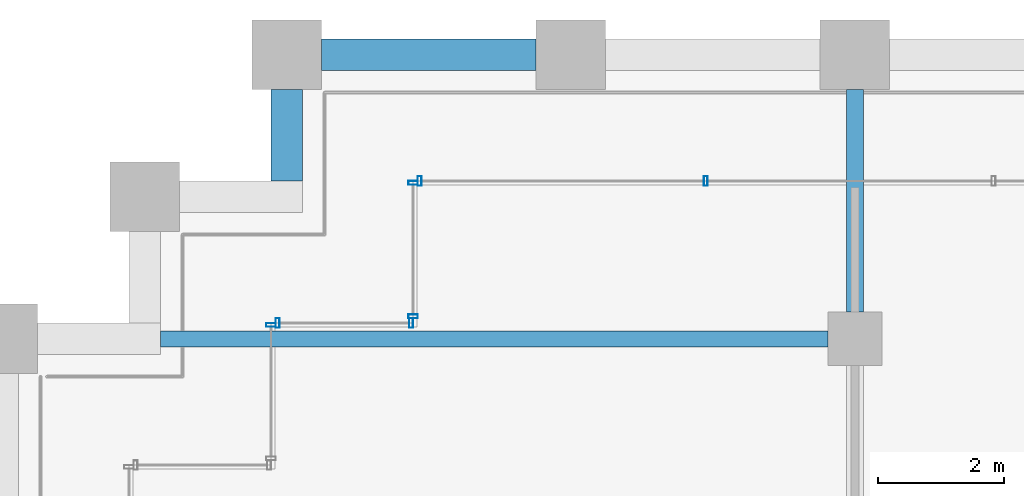
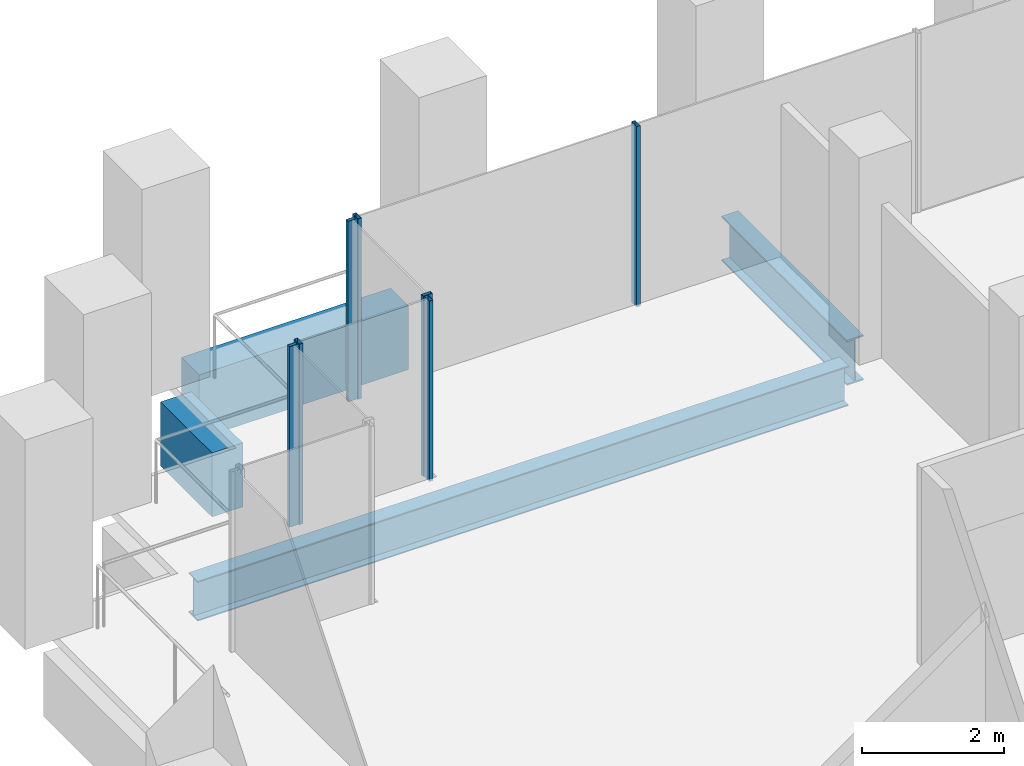
# One storey, part 26 of 56: 7 members, 4 beams, 4 elements without a shape of their own.
"""IFC4 building model written with IfcOpenShell, lengths in metres."""

from ifc_helpers import new_model, si_unit, direction, frame, origin, origin_2d, place, context, subcontext, project, spatial, rectangle, hollow_rectangle, i_section, extrude, material, material_profile, profile_set, type_object, element, aggregate, save


model = new_model("IFC4")

# Units and contexts
model_context = context("Model", 3, precision=1e-05, world=origin(), true_north=direction((0.0, 1.0)))
body_context = subcontext(model_context, "Body", "Model", "MODEL_VIEW")
ifc_project = project(units=[si_unit("LENGTHUNIT", "METRE"), si_unit("AREAUNIT", "SQUARE_METRE"), si_unit("VOLUMEUNIT", "CUBIC_METRE"), si_unit("PLANEANGLEUNIT", "RADIAN"), si_unit("MASSUNIT", "GRAM", prefix="KILO")], contexts=[model_context])

# Site, building, storey
site_placement = place(None, origin())
site = spatial("IfcSite", under=ifc_project, at=site_placement, CompositionType="ELEMENT")
building_placement = place(site_placement, origin())
building = spatial("IfcBuilding", under=site, at=building_placement, Name="Altepetl Exchange Towers", CompositionType="ELEMENT")
storey_placement = place(building_placement, frame((0.0, 0.0, 69.0)))
storey = spatial("IfcBuildingStorey", under=building, at=storey_placement, Name="L16", CompositionType="ELEMENT", Elevation=69.0)

# Beams
ifc_material_1 = material(Name="Steel S355", Category="steel")
ifc_material_profile_1 = material_profile(ifc_material_1, i_section(OverallWidth=0.25390625, OverallDepth=0.68408203125, WebThickness=0.012451171875, FlangeThickness=0.018798828125, at=origin_2d()), Name="W27X94")
ifc_profile_set_1 = profile_set([ifc_material_profile_1], Name="Steel S355")
beam_type_1 = type_object("IfcBeamType", Name="Floor beam W27X94", PredefinedType="BEAM", material=ifc_profile_set_1)
beam_1_placement = place(storey_placement, frame((29.5, 67.5, -0.491943359375), z_axis=(1.0, 0.0, 0.0), x_axis=(0.0, 1.0, 0.0)))
element("IfcBeam", 1, at=beam_1_placement, inside=storey, type_object=beam_type_1, Name="bm:A:L16:023", PredefinedType="BEAM", context=body_context, shape_type="SweptSolid", body=[
    extrude(i_section(OverallWidth=0.25390625, OverallDepth=0.68408203125, WebThickness=0.012451171875, FlangeThickness=0.018798828125, at=origin_2d()), origin(), (0.0, 0.0, 1.0), 10.574951171875),
])
ifc_material_profile_2 = material_profile(ifc_material_1, i_section(OverallWidth=0.26806640625, OverallDepth=0.77392578125, WebThickness=0.015380859375, FlangeThickness=0.025390625, at=origin_2d()), Name="W30X132")
ifc_profile_set_2 = profile_set([ifc_material_profile_2], Name="Steel S355")
beam_type_2 = type_object("IfcBeamType", Name="Girder W30X132", PredefinedType="BEAM", material=ifc_profile_set_2)
beam_2_placement = place(storey_placement, frame((40.5, 71.449951171875, -0.537109375), z_axis=(0.0, -1.0, 0.0), x_axis=(1.0, 0.0, 0.0)))
element("IfcBeam", 2, at=beam_2_placement, inside=storey, type_object=beam_type_2, Name="gd:A:L16:003", PredefinedType="BEAM", context=body_context, shape_type="SweptSolid", body=[
    extrude(i_section(OverallWidth=0.26806640625, OverallDepth=0.77392578125, WebThickness=0.015380859375, FlangeThickness=0.025390625, at=origin_2d()), origin(), (0.0, 0.0, 1.0), 3.52490234375),
])

# Curtain wall, members
ifc_material_2 = material(Name="Aluminium 6063-T6 glazing", Category="aluminium")
curtain_wall_type = type_object("IfcCurtainWallType", Name="Loggia glazing system", PredefinedType="NOTDEFINED", material=ifc_material_2)
curtain_wall_1_placement = place(storey_placement, origin())
curtain_wall_1 = element("IfcCurtainWall", 3, at=curtain_wall_1_placement, inside=storey, type_object=curtain_wall_type, Name="CW1 run", PredefinedType="NOTDEFINED")
ifc_material_3 = material(Name="Aluminium 6063-T6", Category="aluminium")
ifc_material_profile_3 = material_profile(ifc_material_3, hollow_rectangle(XDim=0.06005859375, YDim=0.14990234375, WallThickness=0.0029296875, at=origin_2d()), Name="Mullion 60x150 aluminium")
ifc_profile_set_3 = profile_set([ifc_material_profile_3], Name="Aluminium 6063-T6")
member_type = type_object("IfcMemberType", Name="Mullion 60x150 aluminium", PredefinedType="MULLION", material=ifc_profile_set_3)
member_1_placement = place(storey_placement, frame((38.1357421875, 70.0, 0.0), z_axis=(0.0, 0.0, 1.0), x_axis=(-1.0, 0.0, 0.0)))
member_1 = element("IfcMember", 4, at=member_1_placement, type_object=member_type, Name="MU1 mullion", PredefinedType="MULLION", context=body_context, shape_type="SweptSolid", body=[
    extrude(hollow_rectangle(XDim=0.06005859375, YDim=0.14990234375, WallThickness=0.0029296875, at=origin_2d()), origin(), (0.0, 0.0, 1.0), 3.10009765625),
])
member_2_placement = place(storey_placement, frame((33.60498046875, 70.0, 0.0), z_axis=(0.0, 0.0, 1.0), x_axis=(-1.0, 0.0, 0.0)))
member_2 = element("IfcMember", 5, at=member_2_placement, type_object=member_type, Name="MU1 mullion", PredefinedType="MULLION", context=body_context, shape_type="SweptSolid", body=[
    extrude(hollow_rectangle(XDim=0.06005859375, YDim=0.14990234375, WallThickness=0.0029296875, at=origin_2d()), origin(), (0.0, 0.0, 1.0), 3.10009765625),
])
aggregate(curtain_wall_1, [member_1, member_2])

curtain_wall_2_placement = place(storey_placement, origin())
curtain_wall_2 = element("IfcCurtainWall", 6, at=curtain_wall_2_placement, inside=storey, type_object=curtain_wall_type, Name="CW1 run", PredefinedType="NOTDEFINED")
member_3_placement = place(storey_placement, frame((33.5, 69.969970703125, 0.0), z_axis=(0.0, 0.0, 1.0), x_axis=(0.0, -1.0, 0.0)))
member_3 = element("IfcMember", 7, at=member_3_placement, type_object=member_type, Name="MU1 mullion", PredefinedType="MULLION", context=body_context, shape_type="SweptSolid", body=[
    extrude(hollow_rectangle(XDim=0.06005859375, YDim=0.14990234375, WallThickness=0.0029296875, at=origin_2d()), origin(), (0.0, 0.0, 1.0), 3.10009765625),
])
member_4_placement = place(storey_placement, frame((33.5, 67.85498046875, 0.0), z_axis=(0.0, 0.0, 1.0), x_axis=(0.0, -1.0, 0.0)))
member_4 = element("IfcMember", 8, at=member_4_placement, type_object=member_type, Name="MU1 mullion", PredefinedType="MULLION", context=body_context, shape_type="SweptSolid", body=[
    extrude(hollow_rectangle(XDim=0.06005859375, YDim=0.14990234375, WallThickness=0.0029296875, at=origin_2d()), origin(), (0.0, 0.0, 1.0), 3.10009765625),
])
aggregate(curtain_wall_2, [member_3, member_4])

curtain_wall_3_placement = place(storey_placement, origin())
curtain_wall_3 = element("IfcCurtainWall", 9, at=curtain_wall_3_placement, inside=storey, type_object=curtain_wall_type, Name="CW1 run", PredefinedType="NOTDEFINED")
member_5_placement = place(storey_placement, frame((33.469970703125, 67.75, 0.0), z_axis=(0.0, 0.0, 1.0), x_axis=(-1.0, 0.0, 0.0)))
member_5 = element("IfcMember", 10, at=member_5_placement, type_object=member_type, Name="MU1 mullion", PredefinedType="MULLION", context=body_context, shape_type="SweptSolid", body=[
    extrude(hollow_rectangle(XDim=0.06005859375, YDim=0.14990234375, WallThickness=0.0029296875, at=origin_2d()), origin(), (0.0, 0.0, 1.0), 3.10009765625),
])
member_6_placement = place(storey_placement, frame((31.35498046875, 67.75, 0.0), z_axis=(0.0, 0.0, 1.0), x_axis=(-1.0, 0.0, 0.0)))
member_6 = element("IfcMember", 11, at=member_6_placement, type_object=member_type, Name="MU1 mullion", PredefinedType="MULLION", context=body_context, shape_type="SweptSolid", body=[
    extrude(hollow_rectangle(XDim=0.06005859375, YDim=0.14990234375, WallThickness=0.0029296875, at=origin_2d()), origin(), (0.0, 0.0, 1.0), 3.10009765625),
])
aggregate(curtain_wall_3, [member_5, member_6])

# Curtain wall, member
curtain_wall_4_placement = place(storey_placement, origin())
curtain_wall_4 = element("IfcCurtainWall", 12, at=curtain_wall_4_placement, inside=storey, type_object=curtain_wall_type, Name="CW1 run", PredefinedType="NOTDEFINED")
member_7_placement = place(storey_placement, frame((31.25, 67.719970703125, 0.0), z_axis=(0.0, 0.0, 1.0), x_axis=(0.0, -1.0, 0.0)))
member_7 = element("IfcMember", 13, at=member_7_placement, type_object=member_type, Name="MU1 mullion", PredefinedType="MULLION", context=body_context, shape_type="SweptSolid", body=[
    extrude(hollow_rectangle(XDim=0.06005859375, YDim=0.14990234375, WallThickness=0.0029296875, at=origin_2d()), origin(), (0.0, 0.0, 1.0), 3.10009765625),
])
aggregate(curtain_wall_4, [member_7])

# Beams
ifc_material_4 = material(Name="Concrete C50/60 precast with tezontle facing", Category="concrete")
ifc_material_profile_4 = material_profile(ifc_material_4, rectangle(XDim=0.5, YDim=1.10009765625, at=origin_2d()), Name="500 x 1100")
ifc_profile_set_4 = profile_set([ifc_material_profile_4], Name="Concrete C50/60 precast with tezontle facing")
beam_type_3 = type_object("IfcBeamType", Name="Spandrel beam 500x1100 tezontle", PredefinedType="SPANDREL", material=ifc_profile_set_4)
beam_3_placement = place(storey_placement, frame((35.449951171875, 72.0, -0.699951171875), z_axis=(-1.0, 0.0, 0.0), x_axis=(0.0, -1.0, 0.0)))
element("IfcBeam", 14, at=beam_3_placement, inside=storey, type_object=beam_type_3, Name="sp:A:L16:031", PredefinedType="SPANDREL", context=body_context, shape_type="SweptSolid", body=[
    extrude(rectangle(XDim=0.5, YDim=1.10009765625, at=origin_2d()), origin(), (0.0, 0.0, 1.0), 3.39990234375),
])
beam_4_placement = place(storey_placement, frame((31.5, 71.449951171875, -0.699951171875), z_axis=(0.0, -1.0, 0.0), x_axis=(1.0, 0.0, 0.0)))
element("IfcBeam", 15, at=beam_4_placement, inside=storey, type_object=beam_type_3, Name="sp:A:L16:032", PredefinedType="SPANDREL", context=body_context, shape_type="SweptSolid", body=[
    extrude(rectangle(XDim=0.5, YDim=1.10009765625, at=origin_2d()), origin(), (0.0, 0.0, 1.0), 1.449951171875),
])

save(model, "model.ifc")
